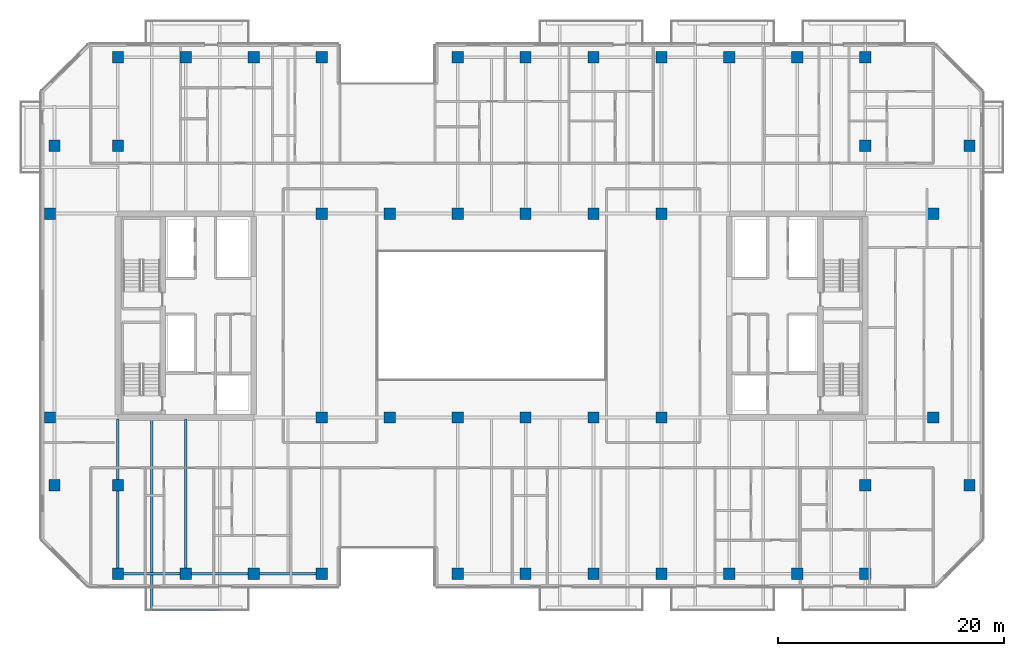
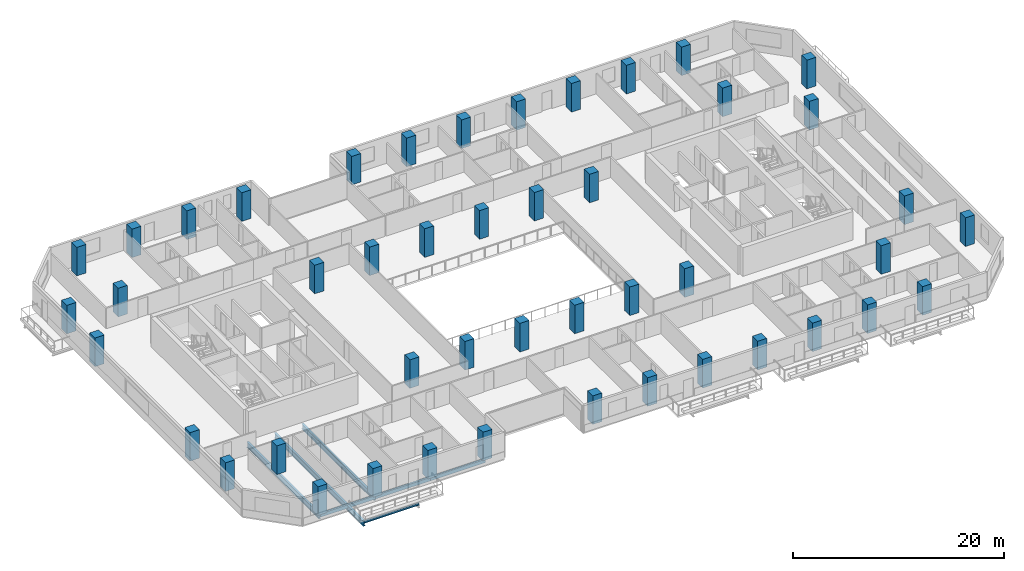
# One storey, part 1 of 23: 46 columns, 7 beams.
"""IFC4 building model written with IfcOpenShell, lengths in metres."""

from ifc_helpers import new_model, si_unit, direction, frame, origin, origin_2d, place, context, subcontext, project, spatial, rectangle, hollow_rectangle, i_section, extrude, material, material_profile, profile_set, type_object, element, save


model = new_model("IFC4")

# Units and contexts
model_context = context("Model", 3, precision=1e-05, world=origin(), true_north=direction((0.0, 1.0)))
body_context = subcontext(model_context, "Body", "Model", "MODEL_VIEW")
ifc_project = project(units=[si_unit("LENGTHUNIT", "METRE"), si_unit("AREAUNIT", "SQUARE_METRE"), si_unit("VOLUMEUNIT", "CUBIC_METRE"), si_unit("PLANEANGLEUNIT", "RADIAN"), si_unit("MASSUNIT", "GRAM", prefix="KILO")], contexts=[model_context])

# Site, building, storey
site_placement = place(None, origin())
site = spatial("IfcSite", under=ifc_project, at=site_placement, CompositionType="ELEMENT")
building_placement = place(site_placement, origin())
building = spatial("IfcBuilding", under=site, at=building_placement, Name="Tanjung Sevakor Pilgrim Tower", CompositionType="ELEMENT")
storey_placement = place(building_placement, frame((0.0, 0.0, 82.169921875)))
storey = spatial("IfcBuildingStorey", under=building, at=storey_placement, Name="L22", CompositionType="ELEMENT", Elevation=82.169921875)

# Columns
ifc_material_1 = material(Name="Concrete C60/75", Category="concrete")
ifc_material_profile_1 = material_profile(ifc_material_1, rectangle(XDim=1.0, YDim=1.0, at=origin_2d()))
ifc_profile_set_1 = profile_set([ifc_material_profile_1], Name="Concrete C60/75")
column_type = type_object("IfcColumnType", Name="COL-C-T1000-RC_1000x1000", PredefinedType="COLUMN", material=ifc_profile_set_1)
for number, where, z_axis, x_axis, name in (
    (1, (18.0, 24.60009765625, 0.0), (0.0, 0.0, 1.0), (1.0, 0.0, 0.0), "L22 Column SPW-018-246"),
    (2, (18.0, 42.60009765625, 0.0), (0.0, 0.0, 1.0), (1.0, 0.0, 0.0), "L22 Column SPW-018-426"),
    (3, (42.0, 24.60009765625, 0.0), (0.0, 0.0, 1.0), (1.0, 0.0, 0.0), "L22 Column SPW-042-246"),
    (4, (42.0, 42.60009765625, 0.0), (0.0, 0.0, 1.0), (1.0, 0.0, 0.0), "L22 Column SPW-042-426"),
    (5, (48.0, 24.60009765625, 0.0), (0.0, 0.0, 1.0), (1.0, 0.0, 0.0), "L22 Column SPW-048-246"),
    (6, (48.0, 42.60009765625, 0.0), (0.0, 0.0, 1.0), (1.0, 0.0, 0.0), "L22 Column SPW-048-426"),
    (7, (54.0, 24.60009765625, 0.0), (0.0, 0.0, 1.0), (1.0, 0.0, 0.0), "L22 Column SPE-054-246"),
    (8, (54.0, 42.60009765625, 0.0), (0.0, 0.0, 1.0), (1.0, 0.0, 0.0), "L22 Column SPE-054-426"),
    (9, (60.0, 24.60009765625, 0.0), (0.0, 0.0, 1.0), (1.0, 0.0, 0.0), "L22 Column SPE-060-246"),
    (10, (60.0, 42.60009765625, 0.0), (0.0, 0.0, 1.0), (1.0, 0.0, 0.0), "L22 Column SPE-060-426"),
    (11, (66.0, 24.60009765625, 0.0), (0.0, 0.0, 1.0), (1.0, 0.0, 0.0), "L22 Column SPE-066-246"),
    (12, (66.0, 42.60009765625, 0.0), (0.0, 0.0, 1.0), (1.0, 0.0, 0.0), "L22 Column SPE-066-426"),
    (13, (72.0, 24.60009765625, 0.0), (0.0, 0.0, 1.0), (1.0, 0.0, 0.0), "L22 Column SPE-072-246"),
    (14, (72.0, 42.60009765625, 0.0), (0.0, 0.0, 1.0), (1.0, 0.0, 0.0), "L22 Column SPE-072-426"),
    (15, (96.0, 24.60009765625, 0.0), (0.0, 0.0, 1.0), (1.0, 0.0, 0.0), "L22 Column SPE-096-246"),
    (16, (96.0, 42.60009765625, 0.0), (0.0, 0.0, 1.0), (1.0, 0.0, 0.0), "L22 Column SPE-096-426"),
    (17, (18.39990234375, 18.60009765625, 0.0), (0.0, 0.0, 1.0), (1.0, 0.0, 0.0), "L22 Column TCE-0184-186"),
    (18, (18.39990234375, 48.60009765625, 0.0), (0.0, 0.0, 1.0), (1.0, 0.0, 0.0), "L22 Column TCE-0184-486"),
    (19, (24.0, 18.60009765625, 0.0), (0.0, 0.0, 1.0), (1.0, 0.0, 0.0), "L22 Column TCE-0240-186"),
    (20, (24.0, 48.60009765625, 0.0), (0.0, 0.0, 1.0), (1.0, 0.0, 0.0), "L22 Column TCE-0240-486"),
    (21, (90.0, 18.60009765625, 0.0), (0.0, 0.0, 1.0), (1.0, 0.0, 0.0), "L22 Column TCE-0900-186"),
    (22, (90.0, 48.60009765625, 0.0), (0.0, 0.0, 1.0), (1.0, 0.0, 0.0), "L22 Column TCE-0900-486"),
    (23, (99.199951171875, 18.60009765625, 0.0), (0.0, 0.0, 1.0), (1.0, 0.0, 0.0), "L22 Column TCE-0992-186"),
    (24, (99.199951171875, 48.60009765625, 0.0), (0.0, 0.0, 1.0), (1.0, 0.0, 0.0), "L22 Column TCE-0992-486"),
    (25, (24.0, 10.800048828125, 0.0), (0.0, 0.0, 1.0), (1.0, 0.0, 0.0), "L22 Column TC2-024-108"),
    (26, (24.0, 56.39990234375, 0.0), (0.0, 0.0, 1.0), (1.0, 0.0, 0.0), "L22 Column TC2-024-564"),
    (27, (30.0, 10.800048828125, 0.0), (0.0, 0.0, 1.0), (1.0, 0.0, 0.0), "L22 Column TC2-030-108"),
    (28, (30.0, 56.39990234375, 0.0), (0.0, 0.0, 1.0), (1.0, 0.0, 0.0), "L22 Column TC2-030-564"),
    (29, (36.0, 10.800048828125, 0.0), (0.0, 0.0, 1.0), (1.0, 0.0, 0.0), "L22 Column TC2-036-108"),
    (30, (36.0, 56.39990234375, 0.0), (0.0, 0.0, 1.0), (1.0, 0.0, 0.0), "L22 Column TC2-036-564"),
    (31, (42.0, 10.800048828125, 0.0), (0.0, 0.0, 1.0), (1.0, 0.0, 0.0), "L22 Column TC2-042-108"),
    (32, (42.0, 56.39990234375, 0.0), (0.0, 0.0, 1.0), (1.0, 0.0, 0.0), "L22 Column TC2-042-564"),
    (33, (54.0, 10.800048828125, 0.0), (0.0, 0.0, 1.0), (1.0, 0.0, 0.0), "L22 Column TC2-054-108"),
    (34, (54.0, 56.39990234375, 0.0), (0.0, 0.0, 1.0), (1.0, 0.0, 0.0), "L22 Column TC2-054-564"),
    (35, (60.0, 10.800048828125, 0.0), (0.0, 0.0, 1.0), (1.0, 0.0, 0.0), "L22 Column TC2-060-108"),
    (36, (60.0, 56.39990234375, 0.0), (0.0, 0.0, 1.0), (1.0, 0.0, 0.0), "L22 Column TC2-060-564"),
    (37, (66.0, 10.800048828125, 0.0), (0.0, 0.0, 1.0), (1.0, 0.0, 0.0), "L22 Column TC2-066-108"),
    (38, (66.0, 56.39990234375, 0.0), (0.0, 0.0, 1.0), (1.0, 0.0, 0.0), "L22 Column TC2-066-564"),
    (39, (72.0, 10.800048828125, 0.0), (0.0, 0.0, 1.0), (1.0, 0.0, 0.0), "L22 Column TC2-072-108"),
    (40, (72.0, 56.39990234375, 0.0), (0.0, 0.0, 1.0), (1.0, 0.0, 0.0), "L22 Column TC2-072-564"),
    (41, (78.0, 10.800048828125, 0.0), (0.0, 0.0, 1.0), (1.0, 0.0, 0.0), "L22 Column TC2-078-108"),
    (42, (78.0, 56.39990234375, 0.0), (0.0, 0.0, 1.0), (1.0, 0.0, 0.0), "L22 Column TC2-078-564"),
    (43, (84.0, 10.800048828125, 0.0), (0.0, 0.0, 1.0), (1.0, 0.0, 0.0), "L22 Column TC2-084-108"),
    (44, (84.0, 56.39990234375, 0.0), (0.0, 0.0, 1.0), (1.0, 0.0, 0.0), "L22 Column TC2-084-564"),
    (45, (90.0, 10.800048828125, 0.0), (0.0, 0.0, 1.0), (1.0, 0.0, 0.0), "L22 Column TC2-090-108"),
    (46, (90.0, 56.39990234375, 0.0), (0.0, 0.0, 1.0), (1.0, 0.0, 0.0), "L22 Column TC2-090-564"),
):
    element("IfcColumn", number, at=place(storey_placement, frame(where, z_axis=z_axis, x_axis=x_axis)), inside=storey, type_object=column_type, Name=name, PredefinedType="COLUMN", context=body_context, shape_type="SweptSolid", body=[
        extrude(rectangle(XDim=1.0, YDim=1.0, at=origin_2d()), origin(), (0.0, 0.0, 1.0), 3.300048828125),
    ])

# Beams
ifc_material_2 = material(Name="Steel S355J2", Category="steel")
ifc_material_profile_2 = material_profile(ifc_material_2, i_section(OverallWidth=0.230224609375, OverallDepth=0.6171875, WebThickness=0.01318359375, FlangeThickness=0.022216796875, FilletRadius=0.0126953125, at=origin_2d()))
ifc_profile_set_2 = profile_set([ifc_material_profile_2], Name="Steel S355J2")
beam_type_1 = type_object("IfcBeamType", Name="BM-B-G3-UB_610x229x140", PredefinedType="BEAM", material=ifc_profile_set_2)
for number, where, z_axis, x_axis, name in (
    (47, (24.0, 10.800048828125, -0.528564453125), (0.0, 1.0, 0.0), (-1.0, 0.0, 0.0), "L22 MAIN Girder 001"),
    (48, (30.0, 10.800048828125, -0.528564453125), (0.0, 1.0, 0.0), (-1.0, 0.0, 0.0), "L22 MAIN Girder 003"),
):
    element("IfcBeam", number, at=place(storey_placement, frame(where, z_axis=z_axis, x_axis=x_axis)), inside=storey, type_object=beam_type_1, Name=name, PredefinedType="BEAM", context=body_context, shape_type="SweptSolid", body=[
        extrude(i_section(OverallWidth=0.230224609375, OverallDepth=0.6171875, WebThickness=0.01318359375, FlangeThickness=0.022216796875, FilletRadius=0.0126953125, at=origin_2d()), origin(), (0.0, 0.0, 1.0), 13.672607421875),
    ])
ifc_material_3 = material(Name="Steel S355J2", Category="steel")
ifc_material_profile_3 = material_profile(ifc_material_3, i_section(OverallWidth=0.22900390625, OverallDepth=0.6123046875, WebThickness=0.011962890625, FlangeThickness=0.01953125, FilletRadius=0.0126953125, at=origin_2d()))
ifc_profile_set_3 = profile_set([ifc_material_profile_3], Name="Steel S355J2")
beam_type_2 = type_object("IfcBeamType", Name="BM-B-G4-UB_610x229x125", PredefinedType="BEAM", material=ifc_profile_set_3)
beam_1_placement = place(storey_placement, frame((27.0, 24.47265625, -0.526123046875), z_axis=(0.0, -1.0, 0.0), x_axis=(1.0, 0.0, 0.0)))
element("IfcBeam", 49, at=beam_1_placement, inside=storey, type_object=beam_type_2, Name="L22 Balcony Cantilever Beam MAIN-S1-1", PredefinedType="BEAM", context=body_context, shape_type="SweptSolid", body=[
    extrude(i_section(OverallWidth=0.22900390625, OverallDepth=0.6123046875, WebThickness=0.011962890625, FlangeThickness=0.01953125, FilletRadius=0.0126953125, at=origin_2d()), origin(), (0.0, 0.0, 1.0), 16.8525390625),
])
ifc_material_4 = material(Name="Steel S355J2", Category="steel")
ifc_material_profile_4 = material_profile(ifc_material_4, i_section(OverallWidth=0.146484375, OverallDepth=0.256103515625, WebThickness=0.00634765625, FlangeThickness=0.010986328125, FilletRadius=0.007568359375, at=origin_2d()))
ifc_profile_set_4 = profile_set([ifc_material_profile_4], Name="Steel S355J2")
beam_type_3 = type_object("IfcBeamType", Name="BM-B-J6-UB_254x146x37", PredefinedType="JOIST", material=ifc_profile_set_4)
beam_2_placement = place(storey_placement, frame((27.0, 7.6201171875, -0.327880859375), z_axis=(1.0, 0.0, 0.0), x_axis=(0.0, 1.0, 0.0)))
element("IfcBeam", 50, at=beam_2_placement, inside=storey, type_object=beam_type_3, Name="L22 Balcony Rim Tie MAIN-S1", PredefinedType="JOIST", context=body_context, shape_type="SweptSolid", body=[
    extrude(i_section(OverallWidth=0.146484375, OverallDepth=0.256103515625, WebThickness=0.00634765625, FlangeThickness=0.010986328125, FilletRadius=0.007568359375, at=origin_2d()), origin(), (0.0, 0.0, 1.0), 6.0),
])
ifc_material_5 = material(Name="Steel S355J2", Category="steel")
ifc_material_profile_5 = material_profile(ifc_material_5, hollow_rectangle(XDim=0.199951171875, YDim=0.39990234375, WallThickness=0.01611328125, at=origin_2d()))
ifc_profile_set_5 = profile_set([ifc_material_profile_5], Name="Steel S355J2")
beam_type_4 = type_object("IfcBeamType", Name="BM-B-SP2-RHS_400x200x16", PredefinedType="SPANDREL", material=ifc_profile_set_5)
for number, where, z_axis, x_axis, name in (
    (51, (24.0, 10.800048828125, -0.419921875), (1.0, 0.0, 0.0), (0.0, 1.0, 0.0), "L22 Spandrel MAIN S-01"),
    (52, (30.0, 10.800048828125, -0.419921875), (1.0, 0.0, 0.0), (0.0, 1.0, 0.0), "L22 Spandrel MAIN S-03"),
    (53, (36.0, 10.800048828125, -0.419921875), (1.0, 0.0, 0.0), (0.0, 1.0, 0.0), "L22 Spandrel MAIN S-05"),
):
    element("IfcBeam", number, at=place(storey_placement, frame(where, z_axis=z_axis, x_axis=x_axis)), inside=storey, type_object=beam_type_4, Name=name, PredefinedType="SPANDREL", context=body_context, shape_type="SweptSolid", body=[
        extrude(hollow_rectangle(XDim=0.199951171875, YDim=0.39990234375, WallThickness=0.01611328125, at=origin_2d()), origin(), (0.0, 0.0, 1.0), 6.0),
    ])

save(model, "model.ifc")
